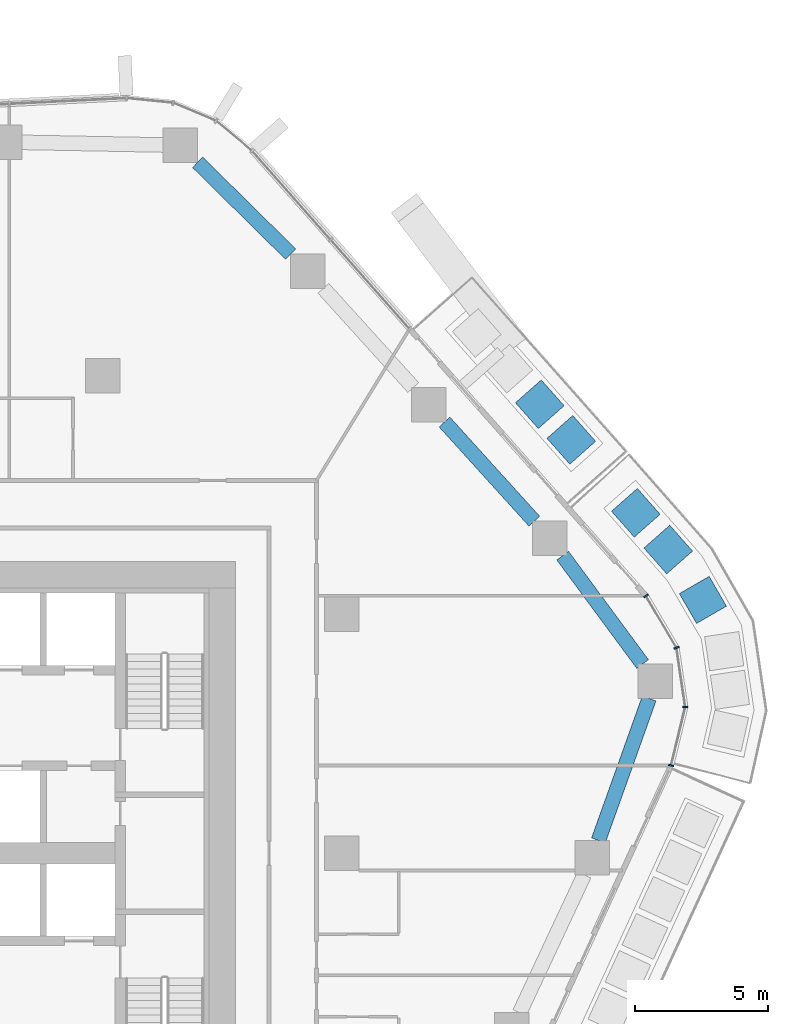
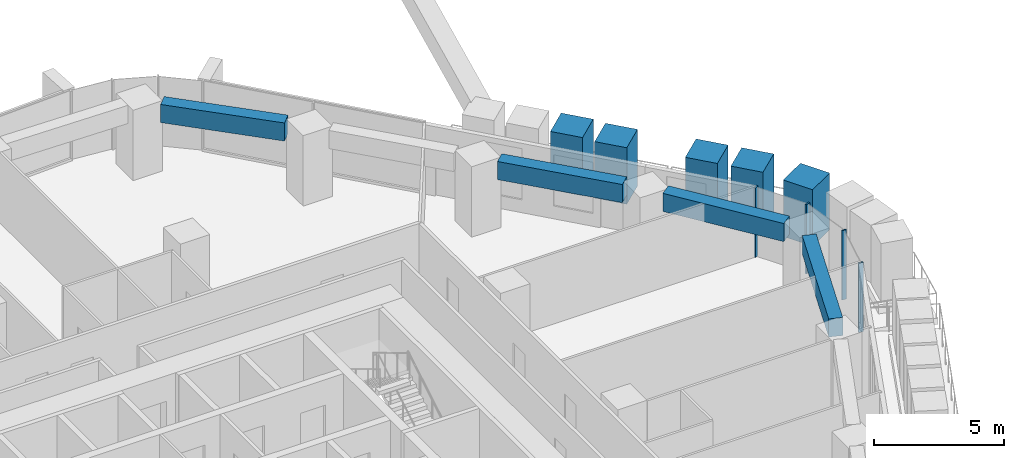
# One storey, part 7 of 25: 9 members, 4 beams, 1 element without a shape of its own.
"""IFC4 building model written with IfcOpenShell, lengths in metres."""

from ifc_helpers import new_model, si_unit, direction, frame, origin, origin_2d, place, context, subcontext, project, spatial, rectangle, extrude, material, layer, layer_set, material_profile, profile_set, type_object, element, aggregate, save


model = new_model("IFC4")

# Units and contexts
model_context = context("Model", 3, precision=1e-05, world=origin(), true_north=direction((0.0, 1.0)))
body_context = subcontext(model_context, "Body", "Model", "MODEL_VIEW")
ifc_project = project(units=[si_unit("LENGTHUNIT", "METRE"), si_unit("AREAUNIT", "SQUARE_METRE"), si_unit("VOLUMEUNIT", "CUBIC_METRE"), si_unit("PLANEANGLEUNIT", "RADIAN"), si_unit("MASSUNIT", "GRAM", prefix="KILO")], contexts=[model_context])

# Site, building, storey
site_placement = place(None, origin())
site = spatial("IfcSite", under=ifc_project, at=site_placement, CompositionType="ELEMENT")
building_placement = place(site_placement, origin())
building = spatial("IfcBuilding", under=site, at=building_placement, Name="Dongbaek Canopy Tower", CompositionType="ELEMENT")
storey_placement = place(building_placement, frame((0.0, 0.0, 102.60009765625)))
storey = spatial("IfcBuildingStorey", under=building, at=storey_placement, Name="L21", CompositionType="ELEMENT", Elevation=102.60009765625)

# Curtain wall, members
ifc_material_1 = material(Name="Aluminium 6063-T6 pale anodised", Category="aluminium")
ifc_layer = layer(ifc_material_1, 0.199951171875)
ifc_layer_set = layer_set([ifc_layer], Name="CW-1 unitised tower curtain wall")
curtain_wall_type = type_object("IfcCurtainWallType", Name="CW-1 unitised tower curtain wall", PredefinedType="NOTDEFINED", material=ifc_layer_set)
curtain_wall_placement = place(storey_placement, origin())
curtain_wall = element("IfcCurtainWall", 1, at=curtain_wall_placement, inside=storey, type_object=curtain_wall_type, Name="CW-1 curtain wall K0.1", PredefinedType="NOTDEFINED")
ifc_material_2 = material(Name="Aluminium 6063-T6 pale anodised", Category="aluminium")
ifc_material_profile_1 = material_profile(ifc_material_2, rectangle(XDim=0.199951171875, YDim=0.06005859375, at=origin_2d()), Name="CW-1 mullion 60 x 200")
ifc_profile_set_1 = profile_set([ifc_material_profile_1], Name="Aluminium 6063-T6 pale anodised")
member_type_1 = type_object("IfcMemberType", Name="CW-1 mullion 60 x 200", PredefinedType="MULLION", material=ifc_profile_set_1)
member_1_placement = place(storey_placement, frame((30.406494140625, 3.31005859375, 0.0), z_axis=(0.0, 0.0, 1.0), x_axis=(0.971859362061, -0.235561839809, 0.0)))
member_1 = element("IfcMember", 2, at=member_1_placement, type_object=member_type_1, Name="CW-1 mullion K0.1.1", PredefinedType="MULLION", context=body_context, shape_type="SweptSolid", body=[
    extrude(rectangle(XDim=0.199951171875, YDim=0.06005859375, at=origin_2d()), origin(), (0.0, 0.0, 1.0), 3.25),
])
member_2_placement = place(storey_placement, frame((30.9404296875, 5.5126953125, 0.0), z_axis=(0.0, 0.0, 1.0), x_axis=(0.998973563193, -0.045297020221, 0.0)))
member_2 = element("IfcMember", 3, at=member_2_placement, type_object=member_type_1, Name="CW-1 mullion K0.1.2", PredefinedType="MULLION", context=body_context, shape_type="SweptSolid", body=[
    extrude(rectangle(XDim=0.199951171875, YDim=0.06005859375, at=origin_2d()), origin(), (0.0, 0.0, 1.0), 3.25),
])
member_3_placement = place(storey_placement, frame((30.609619140625, 7.744873046875, 0.0), z_axis=(0.0, 0.0, 1.0), x_axis=(0.94286943017, 0.333162479357, 0.0)))
member_3 = element("IfcMember", 4, at=member_3_placement, type_object=member_type_1, Name="CW-1 mullion K0.1.3", PredefinedType="MULLION", context=body_context, shape_type="SweptSolid", body=[
    extrude(rectangle(XDim=0.199951171875, YDim=0.06005859375, at=origin_2d()), origin(), (0.0, 0.0, 1.0), 3.25),
])
member_4_placement = place(storey_placement, frame((29.459716796875, 9.69775390625, 0.0), z_axis=(0.0, 0.0, 1.0), x_axis=(0.861723351631, 0.507378424112, 0.0)))
member_4 = element("IfcMember", 5, at=member_4_placement, type_object=member_type_1, Name="CW-1 mullion K0.1.4", PredefinedType="MULLION", context=body_context, shape_type="SweptSolid", body=[
    extrude(rectangle(XDim=0.199951171875, YDim=0.06005859375, at=origin_2d()), origin(), (0.0, 0.0, 1.0), 3.25),
])
aggregate(curtain_wall, [member_1, member_2, member_3, member_4])

# Beams
ifc_material_3 = material(Name="Concrete C80", Category="concrete")
ifc_material_profile_2 = material_profile(ifc_material_3, rectangle(XDim=0.550048828125, YDim=0.85009765625, at=origin_2d()), Name="RC EDGE BEAM 550x850 C80")
ifc_profile_set_2 = profile_set([ifc_material_profile_2], Name="Concrete C80")
beam_type = type_object("IfcBeamType", Name="RC EDGE BEAM 550x850 C80", PredefinedType="BEAM", material=ifc_profile_set_2)
beam_1_placement = place(storey_placement, frame((12.56689453125, 26.032470703125, 2.875), z_axis=(0.711707070228, -0.702476366995, 0.0), x_axis=(0.702476366995, 0.711707070228, 0.0)))
element("IfcBeam", 6, at=beam_1_placement, inside=storey, type_object=beam_type, Name="EDGEBEAM:L21:17", PredefinedType="BEAM", context=body_context, shape_type="SweptSolid", body=[
    extrude(rectangle(XDim=0.550048828125, YDim=0.85009765625, at=origin_2d()), origin(), (0.0, 0.0, 1.0), 4.91943359375),
])
beam_2_placement = place(storey_placement, frame((21.86865234375, 16.248046875, 2.875), z_axis=(0.671270897358, -0.74121210349, 0.0), x_axis=(0.74121210349, 0.671270897358, 0.0)))
element("IfcBeam", 7, at=beam_2_placement, inside=storey, type_object=beam_type, Name="EDGEBEAM:L21:19", PredefinedType="BEAM", context=body_context, shape_type="SweptSolid", body=[
    extrude(rectangle(XDim=0.550048828125, YDim=0.85009765625, at=origin_2d()), origin(), (0.0, 0.0, 1.0), 5.04052734375),
])
beam_3_placement = place(storey_placement, frame((26.320556640625, 11.2119140625, 2.875), z_axis=(0.593780308667, -0.804627208736, 0.0), x_axis=(0.804627208736, 0.593780308667, 0.0)))
element("IfcBeam", 8, at=beam_3_placement, inside=storey, type_object=beam_type, Name="EDGEBEAM:L21:20", PredefinedType="BEAM", context=body_context, shape_type="SweptSolid", body=[
    extrude(rectangle(XDim=0.550048828125, YDim=0.85009765625, at=origin_2d()), origin(), (0.0, 0.0, 1.0), 5.070556640625),
])
beam_4_placement = place(storey_placement, frame((29.578857421875, 5.83203125, 2.875), z_axis=(-0.33649709705, -0.941684503258, 0.0), x_axis=(0.941684503258, -0.33649709705, 0.0)))
element("IfcBeam", 9, at=beam_4_placement, inside=storey, type_object=beam_type, Name="EDGEBEAM:L21:21", PredefinedType="BEAM", context=body_context, shape_type="SweptSolid", body=[
    extrude(rectangle(XDim=0.550048828125, YDim=0.85009765625, at=origin_2d()), origin(), (0.0, 0.0, 1.0), 5.677978515625),
])

# Members
ifc_material_4 = material(Name="Concrete C40/50 planter mass with planting", Category="concrete")
ifc_material_profile_3 = material_profile(ifc_material_4, rectangle(XDim=1.300048828125, YDim=1.300048828125, at=origin_2d()), Name="Terrace PLANTER shrub mass 1300 x 1300")
ifc_profile_set_3 = profile_set([ifc_material_profile_3], Name="Concrete C40/50 planter mass with planting")
member_type_2 = type_object("IfcMemberType", Name="Terrace PLANTER shrub mass 1300 x 1300", PredefinedType="USERDEFINED", material=ifc_profile_set_3)
member_5_placement = place(storey_placement, frame((26.645263671875, 15.577392578125, 0.419921875), z_axis=(0.0, 0.0, 1.0), x_axis=(0.748748761505, 0.662853899547, 0.0)))
element("IfcMember", 10, at=member_5_placement, inside=storey, type_object=member_type_2, Name="Planter shrubs L21 1.1", ObjectType="PLANTER", PredefinedType="USERDEFINED", context=body_context, shape_type="SweptSolid", body=[
    extrude(rectangle(XDim=1.300048828125, YDim=1.300048828125, at=origin_2d()), origin(), (0.0, 0.0, 1.0), 2.64990234375),
])
member_6_placement = place(storey_placement, frame((25.4580078125, 16.91845703125, 0.419921875), z_axis=(0.0, 0.0, 1.0), x_axis=(0.748748761505, 0.662853899547, 0.0)))
element("IfcMember", 11, at=member_6_placement, inside=storey, type_object=member_type_2, Name="Planter shrubs L21 1.2", ObjectType="PLANTER", PredefinedType="USERDEFINED", context=body_context, shape_type="SweptSolid", body=[
    extrude(rectangle(XDim=1.300048828125, YDim=1.300048828125, at=origin_2d()), origin(), (0.0, 0.0, 1.0), 2.72998046875),
])
member_7_placement = place(storey_placement, frame((31.603515625, 9.546142578125, 0.419921875), z_axis=(0.0, 0.0, 1.0), x_axis=(0.865959707109, 0.500113772719, 0.0)))
element("IfcMember", 12, at=member_7_placement, inside=storey, type_object=member_type_2, Name="Planter shrubs L21 6.4", ObjectType="PLANTER", PredefinedType="USERDEFINED", context=body_context, shape_type="SweptSolid", body=[
    extrude(rectangle(XDim=1.300048828125, YDim=1.300048828125, at=origin_2d()), origin(), (0.0, 0.0, 1.0), 2.64990234375),
])
for number, where, z_axis, x_axis, name in (
    (13, (30.29736328125, 11.443115234375, 0.419921875), (0.0, 0.0, 1.0), (0.750150302147, 0.661267362107, 0.0), "Planter shrubs L21 6.5"),
    (14, (29.075927734375, 12.828857421875, 0.419921875), (0.0, 0.0, 1.0), (0.750150302147, 0.661267362107, 0.0), "Planter shrubs L21 6.6"),
):
    element("IfcMember", number, at=place(storey_placement, frame(where, z_axis=z_axis, x_axis=x_axis)), inside=storey, type_object=member_type_2, Name=name, ObjectType="PLANTER", PredefinedType="USERDEFINED", context=body_context, shape_type="SweptSolid", body=[
        extrude(rectangle(XDim=1.300048828125, YDim=1.300048828125, at=origin_2d()), origin(), (0.0, 0.0, 1.0), 2.72998046875),
    ])

save(model, "model.ifc")
